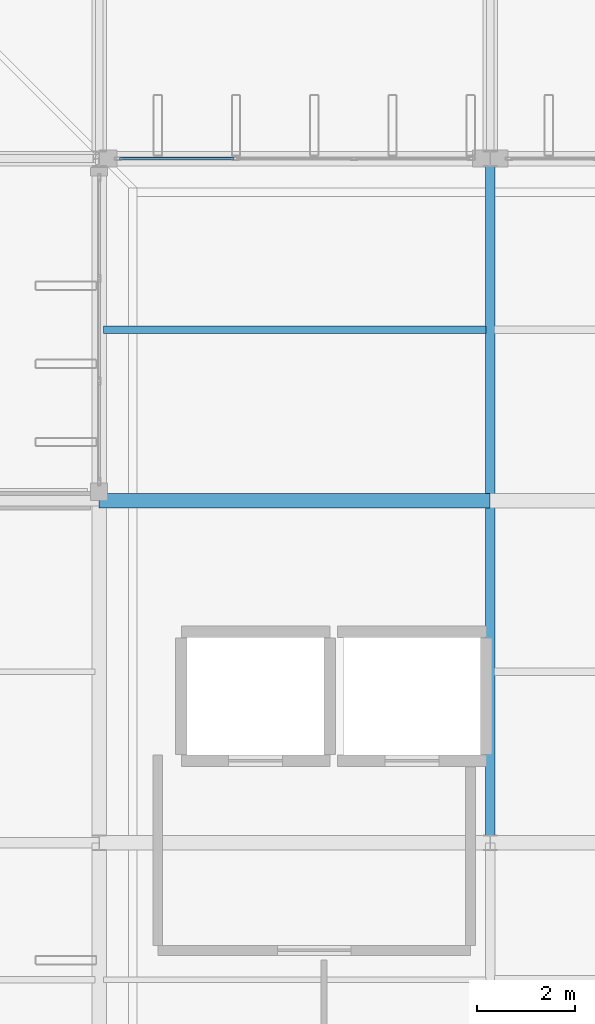
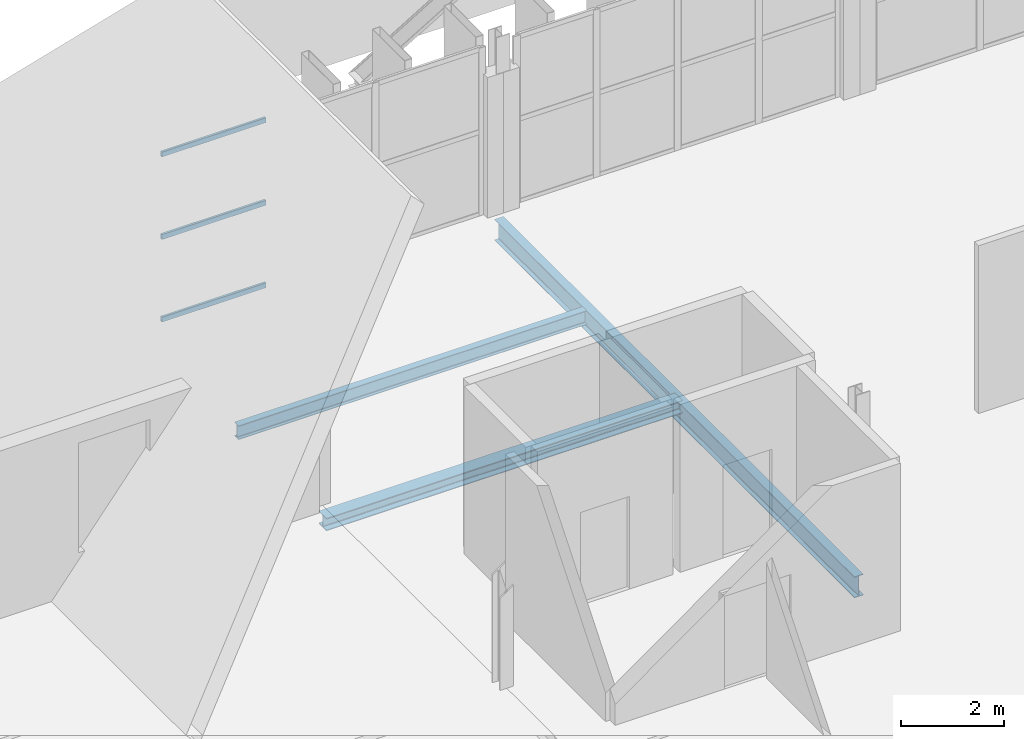
# One storey, part 24 of 93: 3 beams, 3 members, 1 element without a shape of its own.
"""IFC4 building model written with IfcOpenShell, lengths in metres."""

from ifc_helpers import new_model, si_unit, direction, frame, origin, origin_2d, place, context, subcontext, project, spatial, hollow_rectangle, i_section, extrude, material, layer, layer_set, material_profile, profile_set, type_object, element, aggregate, save


model = new_model("IFC4")

# Units and contexts
model_context = context("Model", 3, precision=1e-05, world=origin(), true_north=direction((0.0, 1.0)))
body_context = subcontext(model_context, "Body", "Model", "MODEL_VIEW")
ifc_project = project(units=[si_unit("LENGTHUNIT", "METRE"), si_unit("AREAUNIT", "SQUARE_METRE"), si_unit("VOLUMEUNIT", "CUBIC_METRE"), si_unit("PLANEANGLEUNIT", "RADIAN"), si_unit("MASSUNIT", "GRAM", prefix="KILO")], contexts=[model_context])

# Site, building, storey
site_placement = place(None, origin())
site = spatial("IfcSite", under=ifc_project, at=site_placement, CompositionType="ELEMENT")
building_placement = place(site_placement, origin())
building = spatial("IfcBuilding", under=site, at=building_placement, Name="Vekula Escarpment Museum", CompositionType="ELEMENT")
storey_placement = place(building_placement, frame((0.0, 0.0, 22.199951171875)))
storey = spatial("IfcBuildingStorey", under=building, at=storey_placement, Name="L05", CompositionType="ELEMENT", Elevation=22.199951171875)

# Beams
ifc_material_1 = material(Name="Steel S355", Category="steel")
ifc_material_profile_1 = material_profile(ifc_material_1, i_section(OverallWidth=0.300048828125, OverallDepth=0.300048828125, WebThickness=0.010986328125, FlangeThickness=0.01904296875, FilletRadius=0.027099609375, at=origin_2d()), Name="HEB 300")
ifc_profile_set_1 = profile_set([ifc_material_profile_1], Name="Steel S355")
beam_type_1 = type_object("IfcBeamType", Name="BM-GIRD-HEB300", PredefinedType="BEAM", material=ifc_profile_set_1)
beam_1_placement = place(storey_placement, frame((70.0, 83.39990234375, -0.369873046875), z_axis=(1.0, 0.0, 0.0), x_axis=(0.0, 1.0, 0.0)))
element("IfcBeam", 1, at=beam_1_placement, inside=storey, type_object=beam_type_1, Name="Beam X L05 2036", PredefinedType="BEAM", context=body_context, shape_type="SweptSolid", body=[
    extrude(i_section(OverallWidth=0.300048828125, OverallDepth=0.300048828125, WebThickness=0.010986328125, FlangeThickness=0.01904296875, FilletRadius=0.027099609375, at=origin_2d()), origin(), (0.0, 0.0, 1.0), 8.0),
])
ifc_material_2 = material(Name="Steel S355", Category="steel")
ifc_material_profile_2 = material_profile(ifc_material_2, i_section(OverallWidth=0.199951171875, OverallDepth=0.5, WebThickness=0.01025390625, FlangeThickness=0.01611328125, FilletRadius=0.02099609375, at=origin_2d()), Name="IPE 500")
ifc_profile_set_2 = profile_set([ifc_material_profile_2], Name="Steel S355")
beam_type_2 = type_object("IfcBeamType", Name="BM-GIRD-IPE500", PredefinedType="BEAM", material=ifc_profile_set_2)
beam_2_placement = place(storey_placement, frame((78.0, 76.39990234375, -0.469970703125), z_axis=(0.0, 1.0, 0.0), x_axis=(-1.0, 0.0, 0.0)))
element("IfcBeam", 2, at=beam_2_placement, inside=storey, type_object=beam_type_2, Name="Beam Y L05 2129", PredefinedType="BEAM", context=body_context, shape_type="SweptSolid", body=[
    extrude(i_section(OverallWidth=0.199951171875, OverallDepth=0.5, WebThickness=0.01025390625, FlangeThickness=0.01611328125, FilletRadius=0.02099609375, at=origin_2d()), origin(), (0.0, 0.0, 1.0), 14.0),
])
ifc_material_3 = material(Name="Steel S355", Category="steel")
ifc_material_profile_3 = material_profile(ifc_material_3, i_section(OverallWidth=0.159912109375, OverallDepth=0.330078125, WebThickness=0.007568359375, FlangeThickness=0.011474609375, FilletRadius=0.01806640625, at=origin_2d()), Name="IPE 330")
ifc_profile_set_3 = profile_set([ifc_material_profile_3], Name="Steel S355")
beam_type_3 = type_object("IfcBeamType", Name="BM-JST-IPE330", PredefinedType="JOIST", material=ifc_profile_set_3)
beam_3_placement = place(storey_placement, frame((70.090087890625, 86.89990234375, -0.385009765625), z_axis=(1.0, 0.0, 0.0), x_axis=(0.0, 1.0, 0.0)))
element("IfcBeam", 3, at=beam_3_placement, inside=storey, type_object=beam_type_3, Name="Secondary Joist L05 1346", PredefinedType="JOIST", context=body_context, shape_type="SweptSolid", body=[
    extrude(i_section(OverallWidth=0.159912109375, OverallDepth=0.330078125, WebThickness=0.007568359375, FlangeThickness=0.011474609375, FilletRadius=0.01806640625, at=origin_2d()), origin(), (0.0, 0.0, 1.0), 7.81982421875),
])

# Curtain wall, members
ifc_material_4 = material(Name="Aluminium thermally broken framing", Category="aluminium")
ifc_layer = layer(ifc_material_4, 0.159912109375)
ifc_layer_set = layer_set([ifc_layer], Name="Aluminium thermally broken framing")
curtain_wall_type = type_object("IfcCurtainWallType", Name="CW-SYS-02", PredefinedType="NOTDEFINED", material=ifc_layer_set)
curtain_wall_placement = place(storey_placement, origin())
curtain_wall = element("IfcCurtainWall", 4, at=curtain_wall_placement, inside=storey, type_object=curtain_wall_type, Name="Curtain Wall CW-L05-182", PredefinedType="NOTDEFINED")
ifc_material_5 = material(Name="Aluminium anodized transom", Category="aluminium")
ifc_material_profile_4 = material_profile(ifc_material_5, hollow_rectangle(XDim=0.06005859375, YDim=0.1201171875, WallThickness=0.00390625, InnerFilletRadius=0.00390625, OuterFilletRadius=0.008056640625, at=origin_2d()), Name="ALU 120x60x4")
ifc_profile_set_4 = profile_set([ifc_material_profile_4], Name="Aluminium anodized transom")
member_type = type_object("IfcMemberType", Name="CW-TRN-120", PredefinedType="USERDEFINED", material=ifc_profile_set_4)
member_1_placement = place(storey_placement, frame((72.756591796875, 90.39990234375, 0.030029296875), z_axis=(-1.0, 0.0, 0.0), x_axis=(0.0, -1.0, 0.0)))
member_1 = element("IfcMember", 5, at=member_1_placement, type_object=member_type, Name="CW-02 transom 3.1", ObjectType="TRANSOM", PredefinedType="USERDEFINED", context=body_context, shape_type="SweptSolid", body=[
    extrude(hollow_rectangle(XDim=0.06005859375, YDim=0.1201171875, WallThickness=0.00390625, InnerFilletRadius=0.00390625, OuterFilletRadius=0.008056640625, at=origin_2d()), origin(), (0.0, 0.0, 1.0), 2.336669921875),
])
member_2_placement = place(storey_placement, frame((72.756591796875, 90.39990234375, 1.989990234375), z_axis=(-1.0, 0.0, 0.0), x_axis=(0.0, -1.0, 0.0)))
member_2 = element("IfcMember", 6, at=member_2_placement, type_object=member_type, Name="CW-02 transom 3.2", ObjectType="TRANSOM", PredefinedType="USERDEFINED", context=body_context, shape_type="SweptSolid", body=[
    extrude(hollow_rectangle(XDim=0.06005859375, YDim=0.1201171875, WallThickness=0.00390625, InnerFilletRadius=0.00390625, OuterFilletRadius=0.008056640625, at=origin_2d()), origin(), (0.0, 0.0, 1.0), 2.336669921875),
])
member_3_placement = place(storey_placement, frame((72.756591796875, 90.39990234375, 3.949951171875), z_axis=(-1.0, 0.0, 0.0), x_axis=(0.0, -1.0, 0.0)))
member_3 = element("IfcMember", 7, at=member_3_placement, type_object=member_type, Name="CW-02 transom 3.3", ObjectType="TRANSOM", PredefinedType="USERDEFINED", context=body_context, shape_type="SweptSolid", body=[
    extrude(hollow_rectangle(XDim=0.06005859375, YDim=0.1201171875, WallThickness=0.00390625, InnerFilletRadius=0.00390625, OuterFilletRadius=0.008056640625, at=origin_2d()), origin(), (0.0, 0.0, 1.0), 2.336669921875),
])
aggregate(curtain_wall, [member_1, member_2, member_3])

save(model, "model.ifc")
